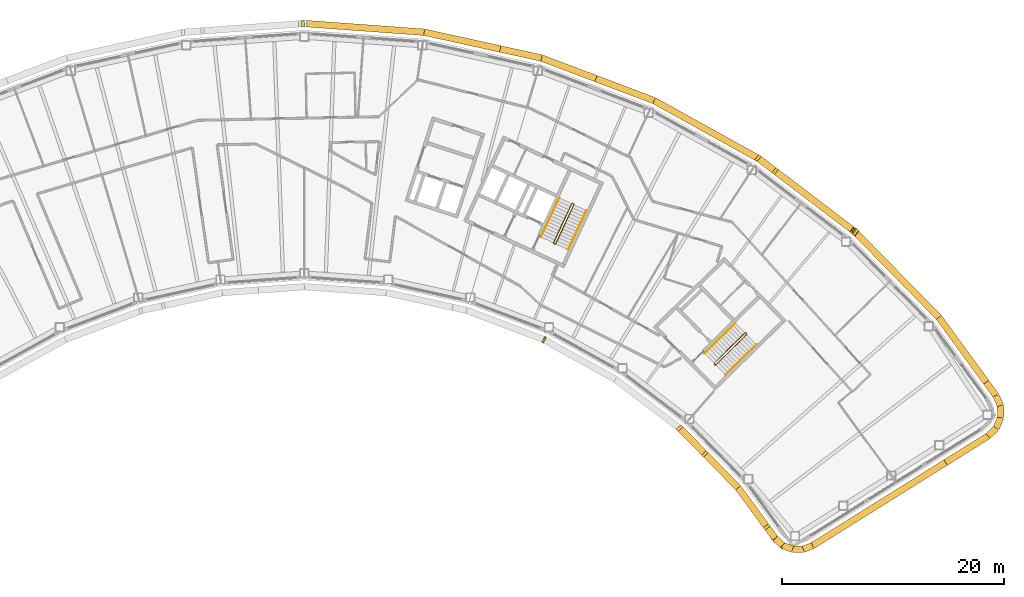
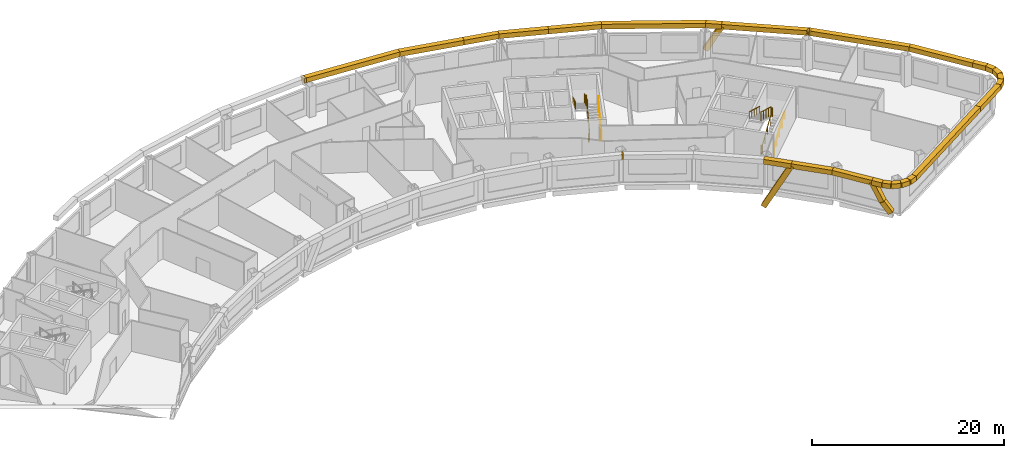
# One storey, part 14 of 14: 34 coverings, 6 railings.
"""IFC4 building model written with IfcOpenShell, lengths in metres."""

from ifc_helpers import new_model, si_unit, direction, frame, origin, origin_2d, place, context, subcontext, project, spatial, rectangle, circle, extrude, material, material_profile, profile_set, type_object, element, save


model = new_model("IFC4")

# Units and contexts
model_context = context("Model", 3, precision=1e-05, world=origin(), true_north=direction((0.0, 1.0)))
body_context = subcontext(model_context, "Body", "Model", "MODEL_VIEW")
ifc_project = project(units=[si_unit("LENGTHUNIT", "METRE"), si_unit("AREAUNIT", "SQUARE_METRE"), si_unit("VOLUMEUNIT", "CUBIC_METRE"), si_unit("PLANEANGLEUNIT", "RADIAN"), si_unit("MASSUNIT", "GRAM", prefix="KILO")], contexts=[model_context])

# Site, building, storey
site_placement = place(None, origin())
site = spatial("IfcSite", under=ifc_project, at=site_placement, CompositionType="ELEMENT")
building_placement = place(site_placement, origin())
building = spatial("IfcBuilding", under=site, at=building_placement, Name="Tuul Gate Civic Tower", CompositionType="ELEMENT")
storey_placement = place(building_placement, frame((0.0, 0.0, 269.39990234375)))
storey = spatial("IfcBuildingStorey", under=building, at=storey_placement, Name="Level 61", CompositionType="ELEMENT", Elevation=269.39990234375)

# Railings
ifc_material_1 = material(Name="Painted steel", Category="steel")
railing_type_1 = type_object("IfcRailingType", Name="Stair guard", PredefinedType="GUARDRAIL", material=ifc_material_1)
railing_1_placement = place(storey_placement, frame((48.10546875, -16.134765625, 0.0)))
element("IfcRailing", 1, at=railing_1_placement, inside=storey, type_object=railing_type_1, Name="Level 61 ST-3 stair guard 1", PredefinedType="GUARDRAIL", context=body_context, shape_type="SweptSolid", body=[
    extrude(circle(Radius=0.02392578125, at=origin_2d()), frame((0.0, 0.0, 1.076171875), z_axis=(-0.698506948293, 0.715603272202, 0.0), x_axis=(-0.715603272202, -0.698506948293, 0.0)), (0.0, 0.0, 1.0), 0.099853515625),
    extrude(circle(Radius=0.02392578125, at=origin_2d()), frame((-0.06982421875, 0.071533203125, 1.076171875), z_axis=(0.644948864628, -0.331432055434, 0.688617277337), x_axis=(0.457068866502, 0.889431307788, 0.0)), (0.0, 0.0, 1.0), 0.218017578125),
    extrude(circle(Radius=0.02392578125, at=origin_2d()), frame((0.07080078125, -0.000732421875, 1.22607421875), z_axis=(0.638731261263, 0.626133563701, 0.447190268558), x_axis=(-0.700029477518, 0.714113947914, 0.0)), (0.0, 0.0, 1.0), 4.3603515625),
    extrude(circle(Radius=0.02392578125, at=origin_2d()), frame((2.85595703125, 2.7294921875, 3.17626953125), z_axis=(0.010380063588, 0.999946125689, 0.0), x_axis=(-0.999946125689, 0.010380063588, 0.0)), (0.0, 0.0, 1.0), 0.070556640625),
    extrude(circle(Radius=0.02392578125, at=origin_2d()), frame((2.856689453125, 2.800048828125, 3.17626953125), z_axis=(-0.699754442181, 0.714383454909, 0.0), x_axis=(-0.714383454909, -0.699754442181, 0.0)), (0.0, 0.0, 1.0), 0.10009765625),
    extrude(circle(Radius=0.02392578125, at=origin_2d()), frame((2.78662109375, 2.87158203125, 3.17626953125), z_axis=(-0.427069033481, 0.004417955519, 0.904208229508), x_axis=(-0.010344274102, -0.999946496565, 0.0)), (0.0, 0.0, 1.0), 0.165771484375),
    extrude(circle(Radius=0.02392578125, at=origin_2d()), frame((2.7158203125, 2.872314453125, 3.326171875), z_axis=(-0.638715268259, -0.626117886127, 0.447235059857), x_axis=(0.700029477518, -0.714113947914, 0.0)), (0.0, 0.0, 1.0), 4.360595703125),
    extrude(circle(Radius=0.02099609375, at=origin_2d()), origin(), (0.0, 0.0, 1.0), 1.052001953125),
    extrude(circle(Radius=0.02099609375, at=origin_2d()), frame((-0.06982421875, 0.071533203125, 0.0)), (0.0, 0.0, 1.0), 1.052001953125),
    extrude(circle(Radius=0.02099609375, at=origin_2d()), frame((0.07080078125, -0.000732421875, 0.150146484375)), (0.0, 0.0, 1.0), 1.052001953125),
    extrude(circle(Radius=0.02099609375, at=origin_2d()), frame((0.76708984375, 0.681884765625, 0.6376953125)), (0.0, 0.0, 1.0), 1.052001953125),
    extrude(circle(Radius=0.02099609375, at=origin_2d()), frame((1.46337890625, 1.3642578125, 1.125)), (0.0, 0.0, 1.0), 1.052001953125),
    extrude(circle(Radius=0.02099609375, at=origin_2d()), frame((2.15966796875, 2.046875, 1.612548828125)), (0.0, 0.0, 1.0), 1.052001953125),
    extrude(circle(Radius=0.02099609375, at=origin_2d()), frame((2.85595703125, 2.7294921875, 2.10009765625)), (0.0, 0.0, 1.0), 1.052001953125),
    extrude(circle(Radius=0.02099609375, at=origin_2d()), frame((2.856689453125, 2.800048828125, 2.10009765625)), (0.0, 0.0, 1.0), 1.052001953125),
    extrude(circle(Radius=0.02099609375, at=origin_2d()), frame((2.78662109375, 2.87158203125, 2.10009765625)), (0.0, 0.0, 1.0), 1.052001953125),
    extrude(circle(Radius=0.02099609375, at=origin_2d()), frame((2.7158203125, 2.872314453125, 2.25)), (0.0, 0.0, 1.0), 1.052001953125),
    extrude(circle(Radius=0.02099609375, at=origin_2d()), frame((2.01953125, 2.189697265625, 2.737548828125)), (0.0, 0.0, 1.0), 1.052001953125),
    extrude(circle(Radius=0.02099609375, at=origin_2d()), frame((1.3232421875, 1.50732421875, 3.22509765625)), (0.0, 0.0, 1.0), 1.052001953125),
    extrude(circle(Radius=0.02099609375, at=origin_2d()), frame((0.626953125, 0.82470703125, 3.712646484375)), (0.0, 0.0, 1.0), 1.052001953125),
    extrude(circle(Radius=0.02099609375, at=origin_2d()), frame((-0.0693359375, 0.14208984375, 4.2001953125)), (0.0, 0.0, 1.0), 1.052001953125),
])
railing_2_placement = place(storey_placement, frame((33.645751953125, -5.238525390625, 0.0)))
element("IfcRailing", 2, at=railing_2_placement, inside=storey, type_object=railing_type_1, Name="Level 61 ST-4 stair guard 1", PredefinedType="GUARDRAIL", context=body_context, shape_type="SweptSolid", body=[
    extrude(circle(Radius=0.02392578125, at=origin_2d()), frame((0.0, 0.0, 1.076171875), z_axis=(-0.906307919131, 0.422617978463, 0.0), x_axis=(-0.422617978463, -0.906307919131, 0.0)), (0.0, 0.0, 1.0), 0.099853515625),
    extrude(circle(Radius=0.02392578125, at=origin_2d()), frame((-0.090576171875, 0.042236328125, 1.076171875), z_axis=(0.720179819621, -0.082882280952, 0.688818956559), x_axis=(0.114330889033, 0.993442724979, 0.0)), (0.0, 0.0, 1.0), 0.218017578125),
    extrude(circle(Radius=0.02392578125, at=origin_2d()), frame((0.06640625, 0.024169921875, 1.22607421875), z_axis=(0.377946903738, 0.810654114417, 0.447209173356), x_axis=(-0.906336612539, 0.422556439746, 0.0)), (0.0, 0.0, 1.0), 4.3603515625),
    extrude(circle(Radius=0.02392578125, at=origin_2d()), frame((1.71435546875, 3.558837890625, 3.17626953125), z_axis=(-0.342020437038, 0.939692513883, 0.0), x_axis=(-0.939692513883, -0.342020437038, 0.0)), (0.0, 0.0, 1.0), 0.070556640625),
    extrude(circle(Radius=0.02392578125, at=origin_2d()), frame((1.690185546875, 3.625244140625, 3.17626953125), z_axis=(-0.906307919131, 0.422617978463, 0.0), x_axis=(-0.422617978463, -0.906307919131, 0.0)), (0.0, 0.0, 1.0), 0.099853515625),
    extrude(circle(Radius=0.02392578125, at=origin_2d()), frame((1.599609375, 3.66748046875, 3.17626953125), z_axis=(-0.40070210376, -0.145843780413, 0.904526072458), x_axis=(0.342020437038, -0.939692513883, 0.0)), (0.0, 0.0, 1.0), 0.165771484375),
    extrude(circle(Radius=0.02392578125, at=origin_2d()), frame((1.533203125, 3.643310546875, 3.326171875), z_axis=(-0.377937439636, -0.810633814971, 0.447253965602), x_axis=(0.906336612539, -0.422556439746, 0.0)), (0.0, 0.0, 1.0), 4.3603515625),
    extrude(circle(Radius=0.02099609375, at=origin_2d()), origin(), (0.0, 0.0, 1.0), 1.052001953125),
    extrude(circle(Radius=0.02099609375, at=origin_2d()), frame((-0.090576171875, 0.042236328125, 0.0)), (0.0, 0.0, 1.0), 1.052001953125),
    extrude(circle(Radius=0.02099609375, at=origin_2d()), frame((0.06640625, 0.024169921875, 0.150146484375)), (0.0, 0.0, 1.0), 1.052001953125),
    extrude(circle(Radius=0.02099609375, at=origin_2d()), frame((0.478515625, 0.90771484375, 0.6376953125)), (0.0, 0.0, 1.0), 1.052001953125),
    extrude(circle(Radius=0.02099609375, at=origin_2d()), frame((0.890380859375, 1.79150390625, 1.125)), (0.0, 0.0, 1.0), 1.052001953125),
    extrude(circle(Radius=0.02099609375, at=origin_2d()), frame((1.30224609375, 2.67529296875, 1.612548828125)), (0.0, 0.0, 1.0), 1.052001953125),
    extrude(circle(Radius=0.02099609375, at=origin_2d()), frame((1.71435546875, 3.558837890625, 2.10009765625)), (0.0, 0.0, 1.0), 1.052001953125),
    extrude(circle(Radius=0.02099609375, at=origin_2d()), frame((1.690185546875, 3.625244140625, 2.10009765625)), (0.0, 0.0, 1.0), 1.052001953125),
    extrude(circle(Radius=0.02099609375, at=origin_2d()), frame((1.599609375, 3.66748046875, 2.10009765625)), (0.0, 0.0, 1.0), 1.052001953125),
    extrude(circle(Radius=0.02099609375, at=origin_2d()), frame((1.533203125, 3.643310546875, 2.25)), (0.0, 0.0, 1.0), 1.052001953125),
    extrude(circle(Radius=0.02099609375, at=origin_2d()), frame((1.12109375, 2.759765625, 2.737548828125)), (0.0, 0.0, 1.0), 1.052001953125),
    extrude(circle(Radius=0.02099609375, at=origin_2d()), frame((0.709228515625, 1.8759765625, 3.22509765625)), (0.0, 0.0, 1.0), 1.052001953125),
    extrude(circle(Radius=0.02099609375, at=origin_2d()), frame((0.29736328125, 0.9921875, 3.712646484375)), (0.0, 0.0, 1.0), 1.052001953125),
    extrude(circle(Radius=0.02099609375, at=origin_2d()), frame((-0.11474609375, 0.108642578125, 4.2001953125)), (0.0, 0.0, 1.0), 1.052001953125),
])
ifc_material_2 = material(Name="Painted steel", Category="steel")
railing_type_2 = type_object("IfcRailingType", Name="Stair handrail", PredefinedType="HANDRAIL", material=ifc_material_2)
railing_3_placement = place(storey_placement, frame((49.05126953125, -17.028076171875, 0.150146484375)))
element("IfcRailing", 3, at=railing_3_placement, inside=storey, type_object=railing_type_2, Name="Level 61 ST-3 stair handrail 1", PredefinedType="HANDRAIL", context=body_context, shape_type="SweptSolid", body=[
    extrude(circle(Radius=0.02392578125, at=origin_2d()), frame((0.0, 0.0, 0.8759765625), z_axis=(0.638753653487, 0.626099522554, 0.447205945863), x_axis=(-0.699997553204, 0.714145241186, 0.0)), (0.0, 0.0, 1.0), 4.3603515625),
    extrude(circle(Radius=0.02099609375, at=origin_2d()), origin(), (0.0, 0.0, 1.0), 0.851806640625),
    extrude(circle(Radius=0.02099609375, at=origin_2d()), frame((0.6962890625, 0.6826171875, 0.487548828125)), (0.0, 0.0, 1.0), 0.851806640625),
    extrude(circle(Radius=0.02099609375, at=origin_2d()), frame((1.392578125, 1.364990234375, 0.97509765625)), (0.0, 0.0, 1.0), 0.851806640625),
    extrude(circle(Radius=0.02099609375, at=origin_2d()), frame((2.0888671875, 2.04736328125, 1.46240234375)), (0.0, 0.0, 1.0), 0.851806640625),
    extrude(circle(Radius=0.02099609375, at=origin_2d()), frame((2.78515625, 2.72998046875, 1.949951171875)), (0.0, 0.0, 1.0), 0.851806640625),
])
railing_4_placement = place(storey_placement, frame((49.9462890625, -12.369873046875, 2.25)))
element("IfcRailing", 4, at=railing_4_placement, inside=storey, type_object=railing_type_2, Name="Level 61 ST-3 stair handrail 2", PredefinedType="HANDRAIL", context=body_context, shape_type="SweptSolid", body=[
    extrude(circle(Radius=0.02392578125, at=origin_2d()), frame((0.0, 0.0, 0.8759765625), z_axis=(-0.638737658801, -0.626083844733, 0.447250737947), x_axis=(0.699997553204, -0.714145241186, 0.0)), (0.0, 0.0, 1.0), 4.3603515625),
    extrude(circle(Radius=0.02099609375, at=origin_2d()), origin(), (0.0, 0.0, 1.0), 0.851806640625),
    extrude(circle(Radius=0.02099609375, at=origin_2d()), frame((-0.6962890625, -0.6826171875, 0.487548828125)), (0.0, 0.0, 1.0), 0.851806640625),
    extrude(circle(Radius=0.02099609375, at=origin_2d()), frame((-1.392578125, -1.364990234375, 0.97509765625)), (0.0, 0.0, 1.0), 0.851806640625),
    extrude(circle(Radius=0.02099609375, at=origin_2d()), frame((-2.0888671875, -2.04736328125, 1.462646484375)), (0.0, 0.0, 1.0), 0.851806640625),
    extrude(circle(Radius=0.02099609375, at=origin_2d()), frame((-2.78515625, -2.72998046875, 1.9501953125)), (0.0, 0.0, 1.0), 0.851806640625),
])
railing_5_placement = place(storey_placement, frame((34.844970703125, -5.74267578125, 0.150146484375)))
element("IfcRailing", 5, at=railing_5_placement, inside=storey, type_object=railing_type_2, Name="Level 61 ST-4 stair handrail 1", PredefinedType="HANDRAIL", context=body_context, shape_type="SweptSolid", body=[
    extrude(circle(Radius=0.02392578125, at=origin_2d()), frame((0.0, 0.0, 0.8759765625), z_axis=(0.377994896215, 0.810636958585, 0.447199709091), x_axis=(-0.906312636903, 0.422607861012, 0.0)), (0.0, 0.0, 1.0), 4.3603515625),
    extrude(circle(Radius=0.02099609375, at=origin_2d()), origin(), (0.0, 0.0, 1.0), 0.851806640625),
    extrude(circle(Radius=0.02099609375, at=origin_2d()), frame((0.412109375, 0.8837890625, 0.487548828125)), (0.0, 0.0, 1.0), 0.851806640625),
    extrude(circle(Radius=0.02099609375, at=origin_2d()), frame((0.82421875, 1.767333984375, 0.97509765625)), (0.0, 0.0, 1.0), 0.851806640625),
    extrude(circle(Radius=0.02099609375, at=origin_2d()), frame((1.236083984375, 2.65087890625, 1.46240234375)), (0.0, 0.0, 1.0), 0.851806640625),
    extrude(circle(Radius=0.02099609375, at=origin_2d()), frame((1.648193359375, 3.53466796875, 1.949951171875)), (0.0, 0.0, 1.0), 0.851806640625),
])
railing_6_placement = place(storey_placement, frame((34.046142578125, -1.06689453125, 2.25)))
element("IfcRailing", 6, at=railing_6_placement, inside=storey, type_object=railing_type_2, Name="Level 61 ST-4 stair handrail 2", PredefinedType="HANDRAIL", context=body_context, shape_type="SweptSolid", body=[
    extrude(circle(Radius=0.02392578125, at=origin_2d()), frame((0.0, 0.0, 0.8759765625), z_axis=(-0.377985431313, -0.810616660428, 0.447244500863), x_axis=(0.906312636903, -0.422607861012, 0.0)), (0.0, 0.0, 1.0), 4.3603515625),
    extrude(circle(Radius=0.02099609375, at=origin_2d()), origin(), (0.0, 0.0, 1.0), 0.851806640625),
    extrude(circle(Radius=0.02099609375, at=origin_2d()), frame((-0.412109375, -0.8837890625, 0.487548828125)), (0.0, 0.0, 1.0), 0.851806640625),
    extrude(circle(Radius=0.02099609375, at=origin_2d()), frame((-0.82421875, -1.767333984375, 0.97509765625)), (0.0, 0.0, 1.0), 0.851806640625),
    extrude(circle(Radius=0.02099609375, at=origin_2d()), frame((-1.236083984375, -2.65087890625, 1.462646484375)), (0.0, 0.0, 1.0), 0.851806640625),
    extrude(circle(Radius=0.02099609375, at=origin_2d()), frame((-1.648193359375, -3.53466796875, 1.9501953125)), (0.0, 0.0, 1.0), 0.851806640625),
])

# Coverings
ifc_material_3 = material(Name="Terracotta baguette", Category="masonry")
ifc_material_profile = material_profile(ifc_material_3, rectangle(XDim=0.60009765625, YDim=0.60009765625, at=origin_2d()), Name="Terracotta baguette screen frame")
ifc_profile_set = profile_set([ifc_material_profile], Name="Terracotta baguette")
covering_type = type_object("IfcCoveringType", Name="Terracotta baguette screen frame", PredefinedType="CLADDING", material=ifc_profile_set)
covering_1_placement = place(storey_placement, frame((68.93212890625, -24.951171875, 3.85009765625), z_axis=(0.848019513707, 0.529965002969, 0.0), x_axis=(-0.529965002969, 0.848019513707, 0.0)))
element("IfcCovering", 7, at=covering_1_placement, inside=storey, type_object=covering_type, Name="Baguette 11", PredefinedType="CLADDING", context=body_context, shape_type="SweptSolid", body=[
    extrude(rectangle(XDim=0.60009765625, YDim=0.60009765625, at=origin_2d()), origin(), (0.0, 0.0, 1.0), 4.526611328125),
])
covering_2_placement = place(storey_placement, frame((72.770751953125, -22.55224609375, 3.85009765625), z_axis=(0.722749211147, 0.69111039479, 0.0), x_axis=(-0.69111039479, 0.722749211147, 0.0)))
element("IfcCovering", 8, at=covering_2_placement, inside=storey, type_object=covering_type, Name="Baguette 12", PredefinedType="CLADDING", context=body_context, shape_type="SweptSolid", body=[
    extrude(rectangle(XDim=0.60009765625, YDim=0.60009765625, at=origin_2d()), origin(), (0.0, 0.0, 1.0), 0.98779296875),
])
covering_3_placement = place(storey_placement, frame((73.484619140625, -21.86962890625, 3.85009765625), z_axis=(0.385378072861, 0.922758766394, 0.0), x_axis=(-0.922758766394, 0.385378072861, 0.0)))
element("IfcCovering", 9, at=covering_3_placement, inside=storey, type_object=covering_type, Name="Baguette 13", PredefinedType="CLADDING", context=body_context, shape_type="SweptSolid", body=[
    extrude(rectangle(XDim=0.60009765625, YDim=0.60009765625, at=origin_2d()), origin(), (0.0, 0.0, 1.0), 1.068115234375),
])
covering_4_placement = place(storey_placement, frame((73.896240234375, -20.884033203125, 3.85009765625), z_axis=(-0.014650442147, 0.999892676513, 0.0), x_axis=(-0.999892676513, -0.014650442147, 0.0)))
element("IfcCovering", 10, at=covering_4_placement, inside=storey, type_object=covering_type, Name="Baguette 14", PredefinedType="CLADDING", context=body_context, shape_type="SweptSolid", body=[
    extrude(rectangle(XDim=0.60009765625, YDim=0.60009765625, at=origin_2d()), origin(), (0.0, 0.0, 1.0), 1.06640625),
])
covering_5_placement = place(storey_placement, frame((73.880615234375, -19.817626953125, 3.85009765625), z_axis=(-0.4130215853, 0.910721236206, 0.0), x_axis=(-0.910721236206, -0.4130215853, 0.0)))
element("IfcCovering", 11, at=covering_5_placement, inside=storey, type_object=covering_type, Name="Baguette 15", PredefinedType="CLADDING", context=body_context, shape_type="SweptSolid", body=[
    extrude(rectangle(XDim=0.60009765625, YDim=0.60009765625, at=origin_2d()), origin(), (0.0, 0.0, 1.0), 0.989013671875),
])
covering_6_placement = place(storey_placement, frame((73.47216796875, -18.9169921875, 3.85009765625), z_axis=(-0.589783082053, 0.807561710412, 0.0), x_axis=(-0.807561710412, -0.589783082053, 0.0)))
element("IfcCovering", 12, at=covering_6_placement, inside=storey, type_object=covering_type, Name="Baguette 16", PredefinedType="CLADDING", context=body_context, shape_type="SweptSolid", body=[
    extrude(rectangle(XDim=0.60009765625, YDim=0.60009765625, at=origin_2d()), origin(), (0.0, 0.0, 1.0), 1.494384765625),
])
covering_7_placement = place(storey_placement, frame((60.724609375, -4.1142578125, 3.933837890625), z_axis=(-0.583844857279, 0.445305399619, -0.678843342531), x_axis=(-0.606449175924, -0.795122252878, 0.0)))
element("IfcCovering", 13, at=covering_7_placement, inside=storey, type_object=covering_type, Name="Baguette 30", PredefinedType="CLADDING", context=body_context, shape_type="SweptSolid", body=[
    extrude(rectangle(XDim=0.60009765625, YDim=0.60009765625, at=origin_2d()), origin(), (0.0, 0.0, 1.0), 0.123291015625),
])
covering_8_placement = place(storey_placement, frame((60.652587890625, -4.059326171875, 3.85009765625), z_axis=(0.378253003492, -0.288498053511, -0.879598509815), x_axis=(0.606449175924, 0.795122252878, 0.0)))
element("IfcCovering", 14, at=covering_8_placement, inside=storey, type_object=covering_type, Name="Baguette 34", PredefinedType="CLADDING", context=body_context, shape_type="SweptSolid", body=[
    extrude(rectangle(XDim=0.60009765625, YDim=0.60009765625, at=origin_2d()), origin(), (0.0, 0.0, 1.0), 0.1904296875),
])
covering_9_placement = place(storey_placement, frame((60.652587890625, -4.059326171875, 3.85009765625), z_axis=(-0.795655287337, 0.605749670848, 0.0), x_axis=(-0.605749670848, -0.795655287337, 0.0)))
element("IfcCovering", 15, at=covering_9_placement, inside=storey, type_object=covering_type, Name="Baguette 36", PredefinedType="CLADDING", context=body_context, shape_type="SweptSolid", body=[
    extrude(rectangle(XDim=0.60009765625, YDim=0.60009765625, at=origin_2d()), origin(), (0.0, 0.0, 1.0), 9.072509765625),
])
covering_10_placement = place(storey_placement, frame((53.43408203125, 1.436279296875, 3.85009765625), z_axis=(-0.37809285953, 0.287779458799, -0.879902706363), x_axis=(-0.605655261716, -0.795727154215, 0.0)))
element("IfcCovering", 16, at=covering_10_placement, inside=storey, type_object=covering_type, Name="Baguette 41", PredefinedType="CLADDING", context=body_context, shape_type="SweptSolid", body=[
    extrude(rectangle(XDim=0.60009765625, YDim=0.60009765625, at=origin_2d()), origin(), (0.0, 0.0, 1.0), 3.552001953125),
])
covering_11_placement = place(storey_placement, frame((37.35693359375, 9.7021484375, 3.85009765625), z_axis=(-0.935352024444, 0.353718235845, 0.0), x_axis=(-0.353718235845, -0.935352024444, 0.0)))
element("IfcCovering", 17, at=covering_11_placement, inside=storey, type_object=covering_type, Name="Baguette 57", PredefinedType="CLADDING", context=body_context, shape_type="SweptSolid", body=[
    extrude(rectangle(XDim=0.60009765625, YDim=0.60009765625, at=origin_2d()), origin(), (0.0, 0.0, 1.0), 5.24560546875),
])
covering_12_placement = place(storey_placement, frame((32.450439453125, 11.5576171875, 3.85009765625), z_axis=(-0.976557903523, 0.215254874664, 0.0), x_axis=(-0.215254874664, -0.976557903523, 0.0)))
element("IfcCovering", 18, at=covering_12_placement, inside=storey, type_object=covering_type, Name="Baguette 58", PredefinedType="CLADDING", context=body_context, shape_type="SweptSolid", body=[
    extrude(rectangle(XDim=0.60009765625, YDim=0.60009765625, at=origin_2d()), origin(), (0.0, 0.0, 1.0), 3.82666015625),
])
covering_13_placement = place(storey_placement, frame((32.61181640625, -13.84130859375, 3.85009765625), z_axis=(0.875065648596, -0.484004246518, 0.0), x_axis=(0.484004246518, 0.875065648596, 0.0)))
element("IfcCovering", 19, at=covering_13_placement, inside=storey, type_object=covering_type, Name="Baguette 235", PredefinedType="CLADDING", context=body_context, shape_type="SweptSolid", body=[
    extrude(rectangle(XDim=0.60009765625, YDim=0.60009765625, at=origin_2d()), origin(), (0.0, 0.0, 1.0), 0.13916015625),
])
covering_14_placement = place(storey_placement, frame((47.10693359375, -24.07861328125, 3.85009765625), z_axis=(-0.326322306676, 0.332868429016, -0.884710326113), x_axis=(-0.714093526358, -0.700050309345, 0.0)))
element("IfcCovering", 20, at=covering_14_placement, inside=storey, type_object=covering_type, Name="Baguette 254", PredefinedType="CLADDING", context=body_context, shape_type="SweptSolid", body=[
    extrude(rectangle(XDim=0.60009765625, YDim=0.60009765625, at=origin_2d()), origin(), (0.0, 0.0, 1.0), 6.4521484375),
])
covering_15_placement = place(storey_placement, frame((47.10693359375, -24.07861328125, 3.85009765625), z_axis=(0.700013851188, -0.714129265711, 0.0), x_axis=(0.714129265711, 0.700013851188, 0.0)))
element("IfcCovering", 21, at=covering_15_placement, inside=storey, type_object=covering_type, Name="Baguette 256", PredefinedType="CLADDING", context=body_context, shape_type="SweptSolid", body=[
    extrude(rectangle(XDim=0.60009765625, YDim=0.60009765625, at=origin_2d()), origin(), (0.0, 0.0, 1.0), 4.410400390625),
])
covering_16_placement = place(storey_placement, frame((50.1943359375, -27.228271484375, 3.85009765625), z_axis=(0.589760566258, -0.807578153795, 0.0), x_axis=(0.807578153795, 0.589760566258, 0.0)))
element("IfcCovering", 22, at=covering_16_placement, inside=storey, type_object=covering_type, Name="Baguette 257", PredefinedType="CLADDING", context=body_context, shape_type="SweptSolid", body=[
    extrude(rectangle(XDim=0.60009765625, YDim=0.60009765625, at=origin_2d()), origin(), (0.0, 0.0, 1.0), 4.519287109375),
])
covering_17_placement = place(storey_placement, frame((52.859619140625, -30.8779296875, 3.85009765625), z_axis=(0.278638300045, -0.381700417496, -0.881286269626), x_axis=(0.807690018687, 0.589607355546, 0.0)))
element("IfcCovering", 23, at=covering_17_placement, inside=storey, type_object=covering_type, Name="Baguette 270", PredefinedType="CLADDING", context=body_context, shape_type="SweptSolid", body=[
    extrude(rectangle(XDim=0.60009765625, YDim=0.60009765625, at=origin_2d()), origin(), (0.0, 0.0, 1.0), 2.4375),
])
covering_18_placement = place(storey_placement, frame((53.538818359375, -31.808349609375, 1.701904296875), z_axis=(0.418515268248, -0.39182463935, -0.819340235947), x_axis=(0.683445771731, 0.730001285686, 0.0)))
element("IfcCovering", 24, at=covering_18_placement, inside=storey, type_object=covering_type, Name="Baguette 271", PredefinedType="CLADDING", context=body_context, shape_type="SweptSolid", body=[
    extrude(rectangle(XDim=0.60009765625, YDim=0.60009765625, at=origin_2d()), origin(), (0.0, 0.0, 1.0), 1.5732421875),
])
covering_19_placement = place(storey_placement, frame((72.5908203125, -17.710205078125, 3.85009765625), z_axis=(-0.58982464892, 0.80753135142, 0.0), x_axis=(-0.80753135142, -0.58982464892, 0.0)))
element("IfcCovering", 25, at=covering_19_placement, inside=storey, type_object=covering_type, Name="Baguette 294", PredefinedType="CLADDING", context=body_context, shape_type="SweptSolid", body=[
    extrude(rectangle(XDim=0.60009765625, YDim=0.60009765625, at=origin_2d()), origin(), (0.0, 0.0, 1.0), 7.239990234375),
])
covering_20_placement = place(storey_placement, frame((68.320556640625, -11.86376953125, 3.85009765625), z_axis=(-0.699995601925, 0.714147153804, 0.0), x_axis=(-0.714147153804, -0.699995601925, 0.0)))
element("IfcCovering", 26, at=covering_20_placement, inside=storey, type_object=covering_type, Name="Baguette 295", PredefinedType="CLADDING", context=body_context, shape_type="SweptSolid", body=[
    extrude(rectangle(XDim=0.60009765625, YDim=0.60009765625, at=origin_2d()), origin(), (0.0, 0.0, 1.0), 10.851318359375),
])
covering_21_placement = place(storey_placement, frame((60.724609375, -4.1142578125, 3.85009765625), z_axis=(-0.795122252878, 0.606449175924, 0.0), x_axis=(-0.606449175924, -0.795122252878, 0.0)))
element("IfcCovering", 27, at=covering_21_placement, inside=storey, type_object=covering_type, Name="Baguette 296", PredefinedType="CLADDING", context=body_context, shape_type="SweptSolid", body=[
    extrude(rectangle(XDim=0.60009765625, YDim=0.60009765625, at=origin_2d()), origin(), (0.0, 0.0, 1.0), 0.090576171875),
])
covering_22_placement = place(storey_placement, frame((53.43408203125, 1.436279296875, 3.85009765625), z_axis=(-0.795727154215, 0.605655261716, 0.0), x_axis=(-0.605655261716, -0.795727154215, 0.0)))
element("IfcCovering", 28, at=covering_22_placement, inside=storey, type_object=covering_type, Name="Baguette 297", PredefinedType="CLADDING", context=body_context, shape_type="SweptSolid", body=[
    extrude(rectangle(XDim=0.60009765625, YDim=0.60009765625, at=origin_2d()), origin(), (0.0, 0.0, 1.0), 1.687744140625),
])
covering_23_placement = place(storey_placement, frame((52.091064453125, 2.45849609375, 3.85009765625), z_axis=(-0.874626999089, 0.484796464987, 0.0), x_axis=(-0.484796464987, -0.874626999089, 0.0)))
element("IfcCovering", 29, at=covering_23_placement, inside=storey, type_object=covering_type, Name="Baguette 298", PredefinedType="CLADDING", context=body_context, shape_type="SweptSolid", body=[
    extrude(rectangle(XDim=0.60009765625, YDim=0.60009765625, at=origin_2d()), origin(), (0.0, 0.0, 1.0), 10.8515625),
])
covering_24_placement = place(storey_placement, frame((42.60009765625, 7.71923828125, 3.85009765625), z_axis=(-0.935344686457, 0.353737639384, 0.0), x_axis=(-0.353737639384, -0.935344686457, 0.0)))
element("IfcCovering", 30, at=covering_24_placement, inside=storey, type_object=covering_type, Name="Baguette 299", PredefinedType="CLADDING", context=body_context, shape_type="SweptSolid", body=[
    extrude(rectangle(XDim=0.60009765625, YDim=0.60009765625, at=origin_2d()), origin(), (0.0, 0.0, 1.0), 5.605712890625),
])
covering_25_placement = place(storey_placement, frame((28.71337890625, 12.38134765625, 3.85009765625), z_axis=(-0.976568263541, 0.215207868455, 0.0), x_axis=(-0.215207868455, -0.976568263541, 0.0)))
element("IfcCovering", 31, at=covering_25_placement, inside=storey, type_object=covering_type, Name="Baguette 305", PredefinedType="CLADDING", context=body_context, shape_type="SweptSolid", body=[
    extrude(rectangle(XDim=0.60009765625, YDim=0.60009765625, at=origin_2d()), origin(), (0.0, 0.0, 1.0), 7.0244140625),
])
covering_26_placement = place(storey_placement, frame((21.853515625, 13.89306640625, 3.85009765625), z_axis=(-0.997386817082, 0.072246363998, 0.0), x_axis=(-0.072246363998, -0.997386817082, 0.0)))
element("IfcCovering", 32, at=covering_26_placement, inside=storey, type_object=covering_type, Name="Baguette 306", PredefinedType="CLADDING", context=body_context, shape_type="SweptSolid", body=[
    extrude(rectangle(XDim=0.60009765625, YDim=0.60009765625, at=origin_2d()), origin(), (0.0, 0.0, 1.0), 10.850830078125),
])
covering_27_placement = place(storey_placement, frame((11.031005859375, 14.677001953125, 3.85009765625), z_axis=(-0.997370581012, -0.072470160291, 0.0), x_axis=(0.072470160291, -0.997370581012, 0.0)))
element("IfcCovering", 33, at=covering_27_placement, inside=storey, type_object=covering_type, Name="Baguette 307", PredefinedType="CLADDING", context=body_context, shape_type="SweptSolid", body=[
    extrude(rectangle(XDim=0.60009765625, YDim=0.60009765625, at=origin_2d()), origin(), (0.0, 0.0, 1.0), 0.26953125),
])
covering_28_placement = place(storey_placement, frame((45.00146484375, -21.930908203125, 3.85009765625), z_axis=(0.700050309345, -0.714093526358, 0.0), x_axis=(0.714093526358, 0.700050309345, 0.0)))
element("IfcCovering", 34, at=covering_28_placement, inside=storey, type_object=covering_type, Name="Baguette 364", PredefinedType="CLADDING", context=body_context, shape_type="SweptSolid", body=[
    extrude(rectangle(XDim=0.60009765625, YDim=0.60009765625, at=origin_2d()), origin(), (0.0, 0.0, 1.0), 3.007568359375),
])
covering_29_placement = place(storey_placement, frame((52.859619140625, -30.8779296875, 3.85009765625), z_axis=(0.589607355546, -0.807690018687, 0.0), x_axis=(0.807690018687, 0.589607355546, 0.0)))
element("IfcCovering", 35, at=covering_29_placement, inside=storey, type_object=covering_type, Name="Baguette 379", PredefinedType="CLADDING", context=body_context, shape_type="SweptSolid", body=[
    extrude(rectangle(XDim=0.60009765625, YDim=0.60009765625, at=origin_2d()), origin(), (0.0, 0.0, 1.0), 1.15185546875),
])
covering_30_placement = place(storey_placement, frame((53.538818359375, -31.808349609375, 3.85009765625), z_axis=(0.730001285686, -0.683445771731, 0.0), x_axis=(0.683445771731, 0.730001285686, 0.0)))
element("IfcCovering", 36, at=covering_30_placement, inside=storey, type_object=covering_type, Name="Baguette 380", PredefinedType="CLADDING", context=body_context, shape_type="SweptSolid", body=[
    extrude(rectangle(XDim=0.60009765625, YDim=0.60009765625, at=origin_2d()), origin(), (0.0, 0.0, 1.0), 0.902099609375),
])
covering_31_placement = place(storey_placement, frame((54.197265625, -32.4248046875, 3.85009765625), z_axis=(0.929665294904, -0.368405265232, 0.0), x_axis=(0.368405265232, 0.929665294904, 0.0)))
element("IfcCovering", 37, at=covering_31_placement, inside=storey, type_object=covering_type, Name="Baguette 381", PredefinedType="CLADDING", context=body_context, shape_type="SweptSolid", body=[
    extrude(rectangle(XDim=0.60009765625, YDim=0.60009765625, at=origin_2d()), origin(), (0.0, 0.0, 1.0), 0.973388671875),
])
covering_32_placement = place(storey_placement, frame((55.102294921875, -32.783447265625, 3.85009765625), z_axis=(0.999990900757, -0.004265958673, 0.0), x_axis=(0.004265958673, 0.999990900757, 0.0)))
element("IfcCovering", 38, at=covering_32_placement, inside=storey, type_object=covering_type, Name="Baguette 382", PredefinedType="CLADDING", context=body_context, shape_type="SweptSolid", body=[
    extrude(rectangle(XDim=0.60009765625, YDim=0.60009765625, at=origin_2d()), origin(), (0.0, 0.0, 1.0), 0.972900390625),
])
covering_33_placement = place(storey_placement, frame((56.0751953125, -32.78759765625, 3.85009765625), z_axis=(0.93181662135, 0.362929447932, 0.0), x_axis=(-0.362929447932, 0.93181662135, 0.0)))
element("IfcCovering", 39, at=covering_33_placement, inside=storey, type_object=covering_type, Name="Baguette 383", PredefinedType="CLADDING", context=body_context, shape_type="SweptSolid", body=[
    extrude(rectangle(XDim=0.60009765625, YDim=0.60009765625, at=origin_2d()), origin(), (0.0, 0.0, 1.0), 0.902099609375),
])
covering_34_placement = place(storey_placement, frame((56.915771484375, -32.460205078125, 3.85009765625), z_axis=(0.848036052652, 0.529938537382, 0.0), x_axis=(-0.529938537382, 0.848036052652, 0.0)))
element("IfcCovering", 40, at=covering_34_placement, inside=storey, type_object=covering_type, Name="Baguette 384", PredefinedType="CLADDING", context=body_context, shape_type="SweptSolid", body=[
    extrude(rectangle(XDim=0.60009765625, YDim=0.60009765625, at=origin_2d()), origin(), (0.0, 0.0, 1.0), 14.169677734375),
])

save(model, "model.ifc")
